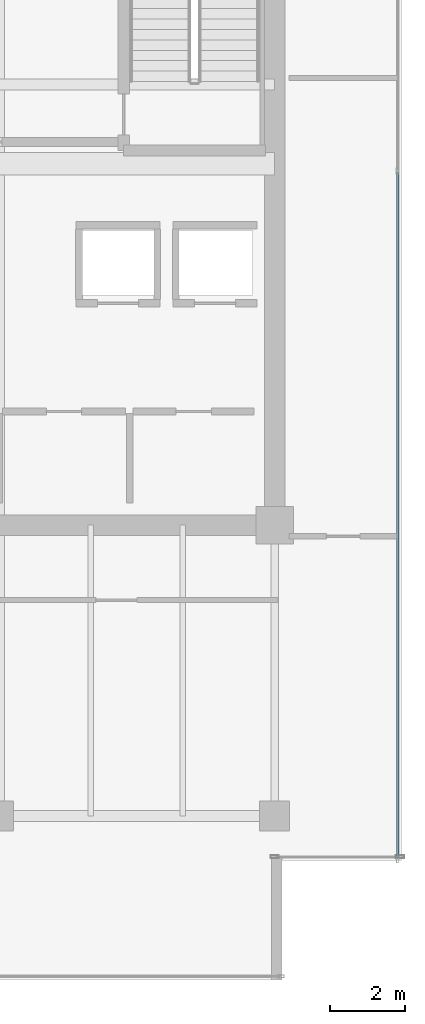
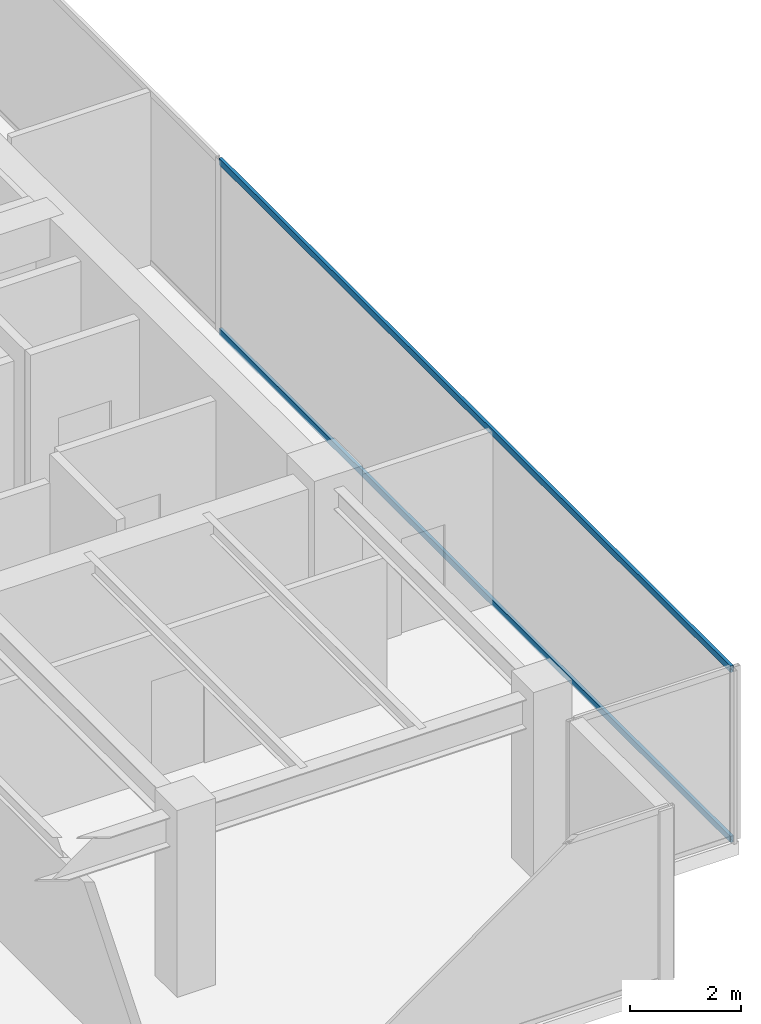
# One storey, part 23 of 33: 2 members, 1 element without a shape of its own.
"""IFC4 building model written with IfcOpenShell, lengths in metres."""

from ifc_helpers import new_model, si_unit, direction, frame, origin, origin_2d, place, context, subcontext, project, spatial, hollow_rectangle, extrude, source, transform, mapped, material, layer, layer_set, material_profile, profile_set, type_object, type_shapes, element, aggregate, save


model = new_model("IFC4")

# Units and contexts
model_context = context("Model", 3, precision=1e-05, world=origin(), true_north=direction((0.0, 1.0)))
body_context = subcontext(model_context, "Body", "Model", "MODEL_VIEW")
ifc_project = project(units=[si_unit("LENGTHUNIT", "METRE"), si_unit("AREAUNIT", "SQUARE_METRE"), si_unit("VOLUMEUNIT", "CUBIC_METRE"), si_unit("PLANEANGLEUNIT", "RADIAN"), si_unit("MASSUNIT", "GRAM", prefix="KILO")], contexts=[model_context])

# Site, building, storey
site_placement = place(None, origin())
site = spatial("IfcSite", under=ifc_project, at=site_placement, CompositionType="ELEMENT")
building_placement = place(site_placement, origin())
building = spatial("IfcBuilding", under=site, at=building_placement, Name="Haelvirn Gate Laboratories", CompositionType="ELEMENT")
storey_placement = place(building_placement, frame((0.0, 0.0, 209.60009765625)))
storey = spatial("IfcBuildingStorey", under=building, at=storey_placement, Name="L50", CompositionType="ELEMENT", Elevation=209.60009765625)

# Curtain wall, members
ifc_material_1 = material(Name="Anodised bronze unitised aluminium & triple low-E glass", Category="aluminium")
ifc_layer = layer(ifc_material_1, 0.176025390625, Name="CW-SYS-4")
ifc_layer_set = layer_set([ifc_layer], Name="Anodised bronze unitised aluminium & triple low-E glass")
curtain_wall_type = type_object("IfcCurtainWallType", Name="CW-SYS-4", PredefinedType="NOTDEFINED", material=ifc_layer_set)
curtain_wall_placement = place(storey_placement, origin())
curtain_wall = element("IfcCurtainWall", 1, at=curtain_wall_placement, inside=storey, type_object=curtain_wall_type, Name="L50 Unitised Curtain Wall CW-L50-P0-E07", PredefinedType="NOTDEFINED")
ifc_material_2 = material(Name="Extruded aluminium 6063-T6 (anodised bronze)", Category="aluminium")
ifc_material_profile = material_profile(ifc_material_2, hollow_rectangle(XDim=0.06494140625, YDim=0.139892578125, WallThickness=0.00390625, at=origin_2d()), Name="CWT-140x65x4")
ifc_profile_set = profile_set([ifc_material_profile], Name="Extruded aluminium 6063-T6 (anodised bronze)")
member_type = type_object("IfcMemberType", Name="CWT-T140", PredefinedType="USERDEFINED", material=ifc_profile_set)
shared_shape = source(origin(), body_context, "Body", "SweptSolid", [
    extrude(hollow_rectangle(XDim=0.06494140625, YDim=0.139892578125, WallThickness=0.00390625, at=origin_2d()), origin(), (0.0, 0.0, 1.0), 18.394775390625),
])
type_shapes(member_type, [shared_shape])
member_1_placement = place(storey_placement, frame((70.699951171875, 5.8701171875, 0.032470703125), z_axis=(0.0, 1.0, 0.0), x_axis=(-1.0, 0.0, 0.0)))
member_1 = element("IfcMember", 2, at=member_1_placement, type_object=member_type, Name="CW4 transom 1.1", ObjectType="TRANSOM", PredefinedType="USERDEFINED", context=body_context, shape_type="MappedRepresentation", body=[
    mapped(shared_shape, transform((0.0, 0.0, 0.0), scale=1.0)),
])
member_2_placement = place(storey_placement, frame((70.699951171875, 5.8701171875, 3.767333984375), z_axis=(0.0, 1.0, 0.0), x_axis=(-1.0, 0.0, 0.0)))
member_2 = element("IfcMember", 3, at=member_2_placement, type_object=member_type, Name="CW4 transom 1.2", ObjectType="TRANSOM", PredefinedType="USERDEFINED", context=body_context, shape_type="MappedRepresentation", body=[
    mapped(shared_shape, transform((0.0, 0.0, 0.0), scale=1.0)),
])
aggregate(curtain_wall, [member_1, member_2])

save(model, "model.ifc")
